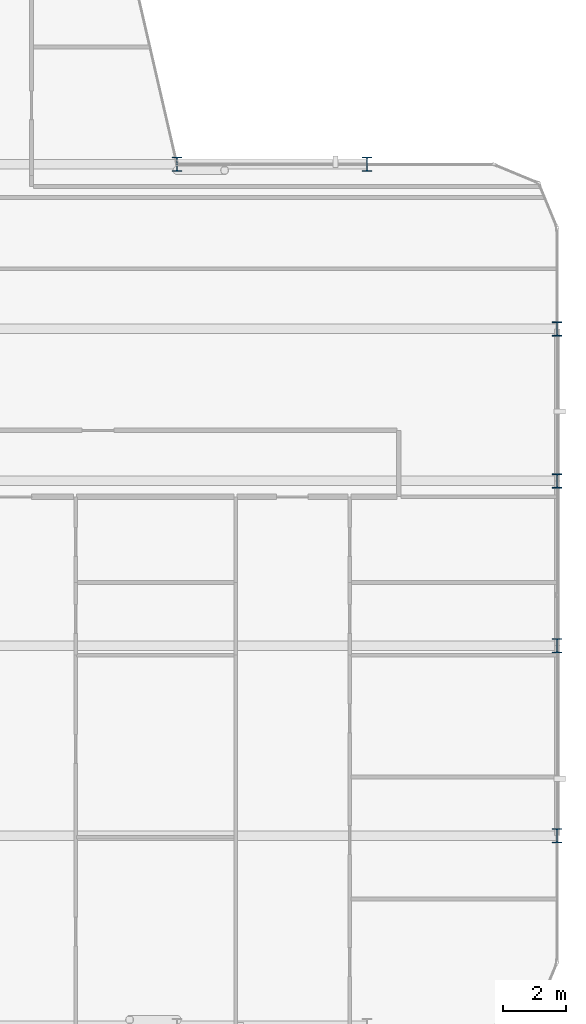
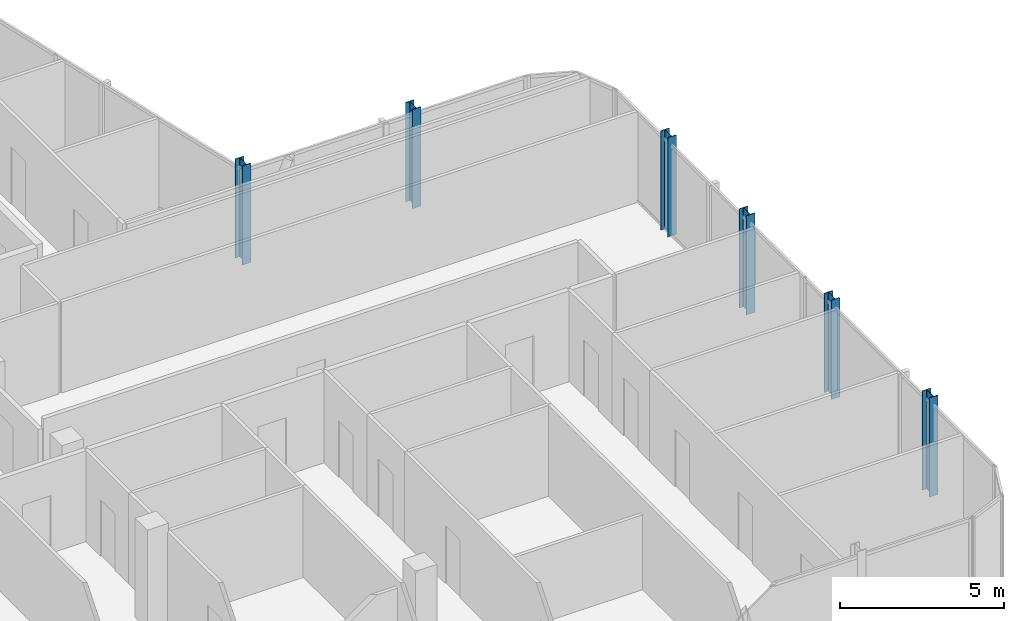
# One storey, part 2 of 29: 6 columns.
"""IFC4 building model written with IfcOpenShell, lengths in metres."""

from ifc_helpers import new_model, si_unit, direction, frame, origin, origin_2d, place, context, subcontext, project, spatial, i_section, extrude, material, material_profile, profile_set, type_object, element, save


model = new_model("IFC4")

# Units and contexts
model_context = context("Model", 3, precision=1e-05, world=origin(), true_north=direction((0.0, 1.0)))
body_context = subcontext(model_context, "Body", "Model", "MODEL_VIEW")
ifc_project = project(units=[si_unit("LENGTHUNIT", "METRE"), si_unit("AREAUNIT", "SQUARE_METRE"), si_unit("VOLUMEUNIT", "CUBIC_METRE"), si_unit("PLANEANGLEUNIT", "RADIAN"), si_unit("MASSUNIT", "GRAM", prefix="KILO")], contexts=[model_context])

# Site, building, storey
site_placement = place(None, origin())
site = spatial("IfcSite", under=ifc_project, at=site_placement, CompositionType="ELEMENT")
building_placement = place(site_placement, origin())
building = spatial("IfcBuilding", under=site, at=building_placement, Name="Keshet Zoharim Tower", CompositionType="ELEMENT")
storey_placement = place(building_placement, frame((0.0, 0.0, 226.5)))
storey = spatial("IfcBuildingStorey", under=building, at=storey_placement, Name="L56", CompositionType="ELEMENT", Elevation=226.5)

# Columns
ifc_material = material(Name="Steel S355", Category="steel")
ifc_material_profile = material_profile(ifc_material, i_section(OverallWidth=0.300048828125, OverallDepth=0.449951171875, WebThickness=0.013916015625, FlangeThickness=0.02587890625, FilletRadius=0.027099609375, at=origin_2d()), Name="HEB450")
ifc_profile_set = profile_set([ifc_material_profile], Name="Steel S355")
column_type = type_object("IfcColumnType", Name="COL-HEB450", PredefinedType="COLUMN", material=ifc_profile_set)
for number, where, z_axis, x_axis, name in (
    (1, (45.0, 27.89990234375, 0.0), (0.0, 0.0, 1.0), (1.0, 0.0, 0.0), "L56 Column 8F"),
    (2, (51.0, 27.89990234375, 0.0), (0.0, 0.0, 1.0), (1.0, 0.0, 0.0), "L56 Column 9F"),
    (3, (57.0, 6.699951171875, 0.0), (0.0, 0.0, 1.0), (1.0, 0.0, 0.0), "L56 Column 10B"),
    (4, (57.0, 12.699951171875, 0.0), (0.0, 0.0, 1.0), (1.0, 0.0, 0.0), "L56 Column 10C"),
    (5, (57.0, 17.89990234375, 0.0), (0.0, 0.0, 1.0), (1.0, 0.0, 0.0), "L56 Column 10D"),
    (6, (57.0, 22.699951171875, 0.0), (0.0, 0.0, 1.0), (1.0, 0.0, 0.0), "L56 Column 10E"),
):
    element("IfcColumn", number, at=place(storey_placement, frame(where, z_axis=z_axis, x_axis=x_axis)), inside=storey, type_object=column_type, Name=name, PredefinedType="COLUMN", context=body_context, shape_type="SweptSolid", body=[
        extrude(i_section(OverallWidth=0.300048828125, OverallDepth=0.449951171875, WebThickness=0.013916015625, FlangeThickness=0.02587890625, FilletRadius=0.027099609375, at=origin_2d()), origin(), (0.0, 0.0, 1.0), 3.699951171875),
    ])

save(model, "model.ifc")
